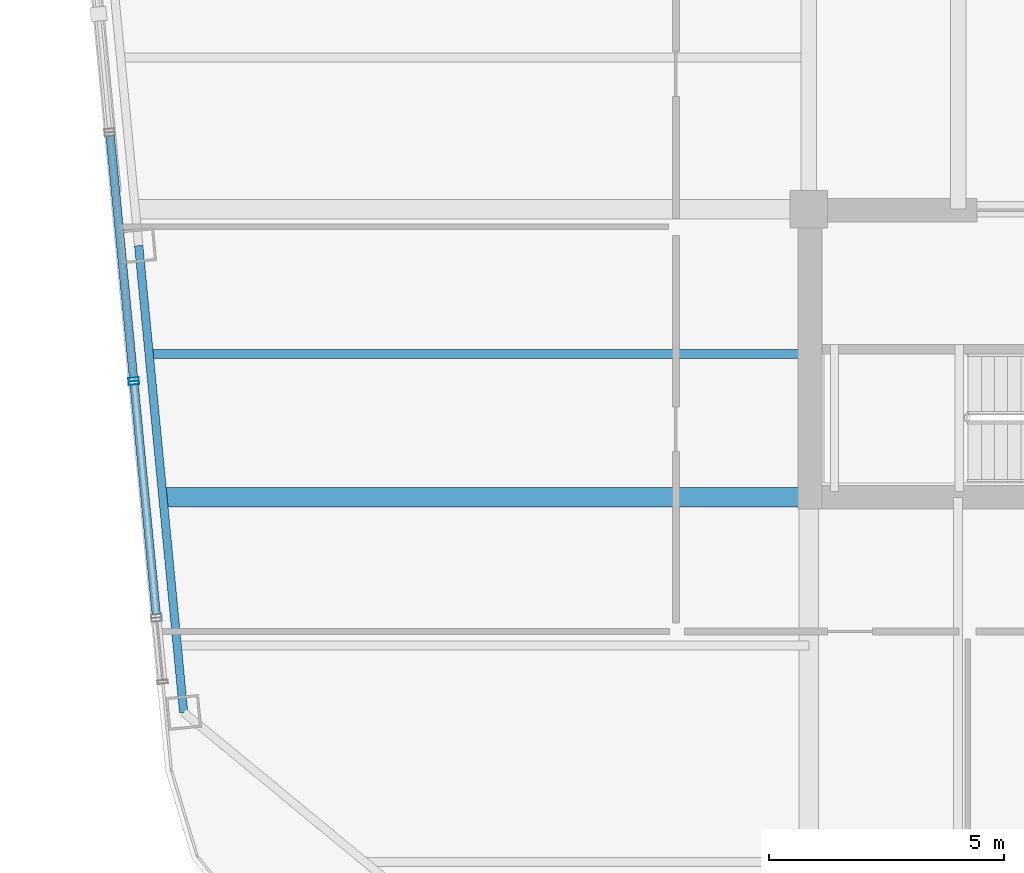
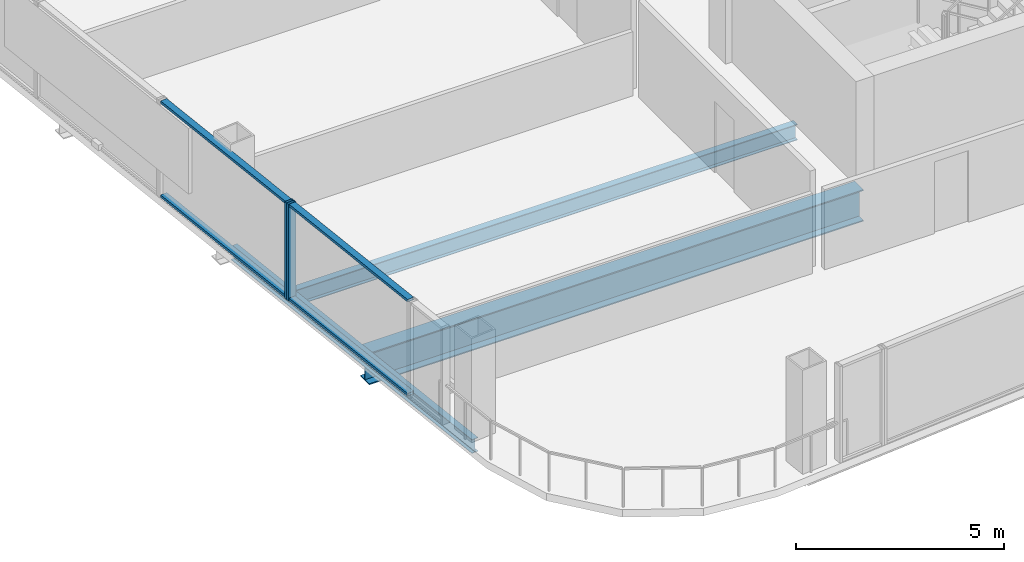
# One storey, part 3 of 29: 6 members, 3 beams, 2 elements without a shape of their own.
"""IFC4 building model written with IfcOpenShell, lengths in metres."""

from ifc_helpers import new_model, si_unit, direction, frame, origin, origin_2d, place, context, subcontext, project, spatial, hollow_rectangle, i_section, extrude, material, layer, layer_set, material_profile, profile_set, type_object, element, aggregate, save


model = new_model("IFC4")

# Units and contexts
model_context = context("Model", 3, precision=1e-05, world=origin(), true_north=direction((0.0, 1.0)))
body_context = subcontext(model_context, "Body", "Model", "MODEL_VIEW")
ifc_project = project(units=[si_unit("LENGTHUNIT", "METRE"), si_unit("AREAUNIT", "SQUARE_METRE"), si_unit("VOLUMEUNIT", "CUBIC_METRE"), si_unit("PLANEANGLEUNIT", "RADIAN"), si_unit("MASSUNIT", "GRAM", prefix="KILO")], contexts=[model_context])

# Site, building, storey
site_placement = place(None, origin())
site = spatial("IfcSite", under=ifc_project, at=site_placement, CompositionType="ELEMENT")
building_placement = place(site_placement, origin())
building = spatial("IfcBuilding", under=site, at=building_placement, Name="Qhalaya Broadcast Tower", CompositionType="ELEMENT")
storey_placement = place(building_placement, frame((0.0, 0.0, 177.5)))
storey = spatial("IfcBuildingStorey", under=building, at=storey_placement, Name="L52", CompositionType="ELEMENT", Elevation=177.5)

# Beams
ifc_material_1 = material(Name="Structural Steel ASTM A992 Grade 50", Category="steel")
ifc_material_profile_1 = material_profile(ifc_material_1, i_section(OverallWidth=0.19189453125, OverallDepth=0.462890625, WebThickness=0.010498046875, FlangeThickness=0.017578125, at=origin_2d()), Name="W18X60")
ifc_profile_set_1 = profile_set([ifc_material_profile_1], Name="Structural Steel ASTM A992 Grade 50")
beam_type_1 = type_object("IfcBeamType", Name="Composite Floor Joist J03", PredefinedType="JOIST", material=ifc_profile_set_1)
beam_1_placement = place(storey_placement, frame((-23.375732421875, -5.699951171875, -0.451416015625), z_axis=(1.0, 0.0, 0.0), x_axis=(0.0, 1.0, 0.0)))
element("IfcBeam", 1, at=beam_1_placement, inside=storey, type_object=beam_type_1, Name="L52 J03 L52-JWE3W-1", PredefinedType="JOIST", context=body_context, shape_type="SweptSolid", body=[
    extrude(i_section(OverallWidth=0.19189453125, OverallDepth=0.462890625, WebThickness=0.010498046875, FlangeThickness=0.017578125, at=origin_2d()), origin(), (0.0, 0.0, 1.0), 14.000732421875),
])
ifc_material_profile_2 = material_profile(ifc_material_1, i_section(OverallWidth=0.4189453125, OverallDepth=0.927001953125, WebThickness=0.019287109375, FlangeThickness=0.031982421875, at=origin_2d()), Name="W36X231")
ifc_profile_set_2 = profile_set([ifc_material_profile_2], Name="Structural Steel ASTM A992 Grade 50")
beam_type_2 = type_object("IfcBeamType", Name="Mid Block Primary Girder PG3", PredefinedType="USERDEFINED", material=ifc_profile_set_2)
beam_2_placement = place(storey_placement, frame((-23.08203125, -8.75, -0.68359375), z_axis=(1.0, 0.0, 0.0), x_axis=(0.0, 1.0, 0.0)))
element("IfcBeam", 2, at=beam_2_placement, inside=storey, type_object=beam_type_2, Name="L52 PG3 L52-PGYW1-1", ObjectType="GIRDER", PredefinedType="USERDEFINED", context=body_context, shape_type="SweptSolid", body=[
    extrude(i_section(OverallWidth=0.4189453125, OverallDepth=0.927001953125, WebThickness=0.019287109375, FlangeThickness=0.031982421875, at=origin_2d()), origin(), (0.0, 0.0, 1.0), 13.70703125),
])

# Curtain wall, member
ifc_material_2 = material(Name="Solar-Control Low-E Triple Glazing", Category="glass")
ifc_layer_1 = layer(ifc_material_2, 0.219970703125, Name="Solar-Control Low-E Triple Glazing")
ifc_layer_set_1 = layer_set([ifc_layer_1], Name="Solar-Control Low-E Triple Glazing")
curtain_wall_type_1 = type_object("IfcCurtainWallType", Name="Even-Block 4-Storey Double-Module Curtain Wall CW-03", PredefinedType="NOTDEFINED", material=ifc_layer_set_1)
curtain_wall_1_placement = place(storey_placement, origin())
curtain_wall_1 = element("IfcCurtainWall", 3, at=curtain_wall_1_placement, inside=storey, type_object=curtain_wall_type_1, Name="L52 Unitised Curtain Wall L52-CW-W5", PredefinedType="NOTDEFINED")
ifc_material_3 = material(Name="Anodised Aluminium 6063-T6", Category="aluminium")
ifc_material_profile_3 = material_profile(ifc_material_3, hollow_rectangle(XDim=0.074951171875, YDim=0.219970703125, WallThickness=0.00390625, at=origin_2d()), Name="ALU-MUL 75x220x4")
ifc_profile_set_3 = profile_set([ifc_material_profile_3], Name="Anodised Aluminium 6063-T6")
member_type_1 = type_object("IfcMemberType", Name="Unitised Curtain-Wall Mullion M01", PredefinedType="MULLION", material=ifc_profile_set_3)
member_1_placement = place(storey_placement, frame((-23.7255859375, -6.2412109375, 0.0), z_axis=(0.0, 0.0, 1.0), x_axis=(0.095837976406, -0.995396947091, 0.0)))
member_1 = element("IfcMember", 4, at=member_1_placement, type_object=member_type_1, Name="CW-03 mullion 2", PredefinedType="MULLION", context=body_context, shape_type="SweptSolid", body=[
    extrude(hollow_rectangle(XDim=0.074951171875, YDim=0.219970703125, WallThickness=0.00390625, at=origin_2d()), origin(), (0.0, 0.0, 1.0), 2.830078125),
])

ifc_material_4 = material(Name="Fired Architectural Terracotta", Category="masonry")
ifc_layer_2 = layer(ifc_material_4, 0.219970703125, Name="Fired Architectural Terracotta")
ifc_layer_set_2 = layer_set([ifc_layer_2], Name="Fired Architectural Terracotta")
curtain_wall_type_2 = type_object("IfcCurtainWallType", Name="Block-Cap Unitised Terracotta Spandrel Wall CW-07", PredefinedType="NOTDEFINED", material=ifc_layer_set_2)
curtain_wall_2_placement = place(storey_placement, origin())
curtain_wall_2 = element("IfcCurtainWall", 5, at=curtain_wall_2_placement, inside=storey, type_object=curtain_wall_type_2, Name="L52 Unitised Curtain Wall L52-CW-W6", PredefinedType="NOTDEFINED")
member_2_placement = place(storey_placement, frame((-23.71826171875, -6.31591796875, 0.0), z_axis=(0.0, 0.0, 1.0), x_axis=(0.095846949325, -0.995396083127, 0.0)))
member_2 = element("IfcMember", 6, at=member_2_placement, type_object=member_type_1, Name="CW-07 mullion 1", PredefinedType="MULLION", context=body_context, shape_type="SweptSolid", body=[
    extrude(hollow_rectangle(XDim=0.074951171875, YDim=0.219970703125, WallThickness=0.00390625, at=origin_2d()), origin(), (0.0, 0.0, 1.0), 2.830078125),
])

# Member
ifc_material_profile_4 = material_profile(ifc_material_3, hollow_rectangle(XDim=0.074951171875, YDim=0.179931640625, WallThickness=0.00390625, at=origin_2d()), Name="ALU-TRN 75x180x4")
ifc_profile_set_4 = profile_set([ifc_material_profile_4], Name="Anodised Aluminium 6063-T6")
member_type_2 = type_object("IfcMemberType", Name="Unitised Curtain-Wall Transom T01", PredefinedType="USERDEFINED", material=ifc_profile_set_4)
member_3_placement = place(storey_placement, frame((-24.2236328125, -1.066650390625, 0.03759765625), z_axis=(0.09584040213, -0.995396713537, 0.0), x_axis=(0.0, 0.0, 1.0)))
member_3 = element("IfcMember", 7, at=member_3_placement, type_object=member_type_2, Name="CW-03 transom 1.1", ObjectType="TRANSOM", PredefinedType="USERDEFINED", context=body_context, shape_type="SweptSolid", body=[
    extrude(hollow_rectangle(XDim=0.074951171875, YDim=0.179931640625, WallThickness=0.00390625, at=origin_2d()), origin(), (0.0, 0.0, 1.0), 5.160888671875),
])

member_4_placement = place(storey_placement, frame((-24.2236328125, -1.066650390625, 2.79248046875), z_axis=(0.09584040213, -0.995396713537, 0.0), x_axis=(0.0, 0.0, 1.0)))
member_4 = element("IfcMember", 8, at=member_4_placement, type_object=member_type_2, Name="CW-03 transom 1.2", ObjectType="TRANSOM", PredefinedType="USERDEFINED", context=body_context, shape_type="SweptSolid", body=[
    extrude(hollow_rectangle(XDim=0.074951171875, YDim=0.179931640625, WallThickness=0.00390625, at=origin_2d()), origin(), (0.0, 0.0, 1.0), 5.160888671875),
])

aggregate(curtain_wall_1, [member_1, member_3, member_4])

member_5_placement = place(storey_placement, frame((-23.714599609375, -6.353271484375, 0.03759765625), z_axis=(0.0958470571, -0.99539607275, 0.0), x_axis=(0.0, 0.0, 1.0)))
member_5 = element("IfcMember", 9, at=member_5_placement, type_object=member_type_2, Name="CW-07 transom 1.1", ObjectType="TRANSOM", PredefinedType="USERDEFINED", context=body_context, shape_type="SweptSolid", body=[
    extrude(hollow_rectangle(XDim=0.074951171875, YDim=0.179931640625, WallThickness=0.00390625, at=origin_2d()), origin(), (0.0, 0.0, 1.0), 4.906005859375),
])

member_6_placement = place(storey_placement, frame((-23.714599609375, -6.353271484375, 2.79248046875), z_axis=(0.0958470571, -0.99539607275, 0.0), x_axis=(0.0, 0.0, 1.0)))
member_6 = element("IfcMember", 10, at=member_6_placement, type_object=member_type_2, Name="CW-07 transom 1.2", ObjectType="TRANSOM", PredefinedType="USERDEFINED", context=body_context, shape_type="SweptSolid", body=[
    extrude(hollow_rectangle(XDim=0.074951171875, YDim=0.179931640625, WallThickness=0.00390625, at=origin_2d()), origin(), (0.0, 0.0, 1.0), 4.906005859375),
])

aggregate(curtain_wall_2, [member_2, member_5, member_6])

# Beam
ifc_material_profile_5 = material_profile(ifc_material_1, i_section(OverallWidth=0.177978515625, OverallDepth=0.406005859375, WebThickness=0.0078125, FlangeThickness=0.0126953125, at=origin_2d()), Name="W16X40")
ifc_profile_set_5 = profile_set([ifc_material_profile_5], Name="Structural Steel ASTM A992 Grade 50")
beam_type_3 = type_object("IfcBeamType", Name="Upper Perimeter Spandrel Beam SP2", PredefinedType="SPANDREL", material=ifc_profile_set_5)
beam_3_placement = place(storey_placement, frame((-23.6171875, -3.399658203125, -0.423095703125), z_axis=(0.09582862993, -0.995397846936, 0.0), x_axis=(0.995397846936, 0.09582862993, 0.0)))
element("IfcBeam", 11, at=beam_3_placement, inside=storey, type_object=beam_type_3, Name="L52 SP2 L52-SPR-15", PredefinedType="SPANDREL", context=body_context, shape_type="SweptSolid", body=[
    extrude(i_section(OverallWidth=0.177978515625, OverallDepth=0.406005859375, WebThickness=0.0078125, FlangeThickness=0.0126953125, at=origin_2d()), origin(), (0.0, 0.0, 1.0), 9.966552734375),
])

save(model, "model.ifc")
